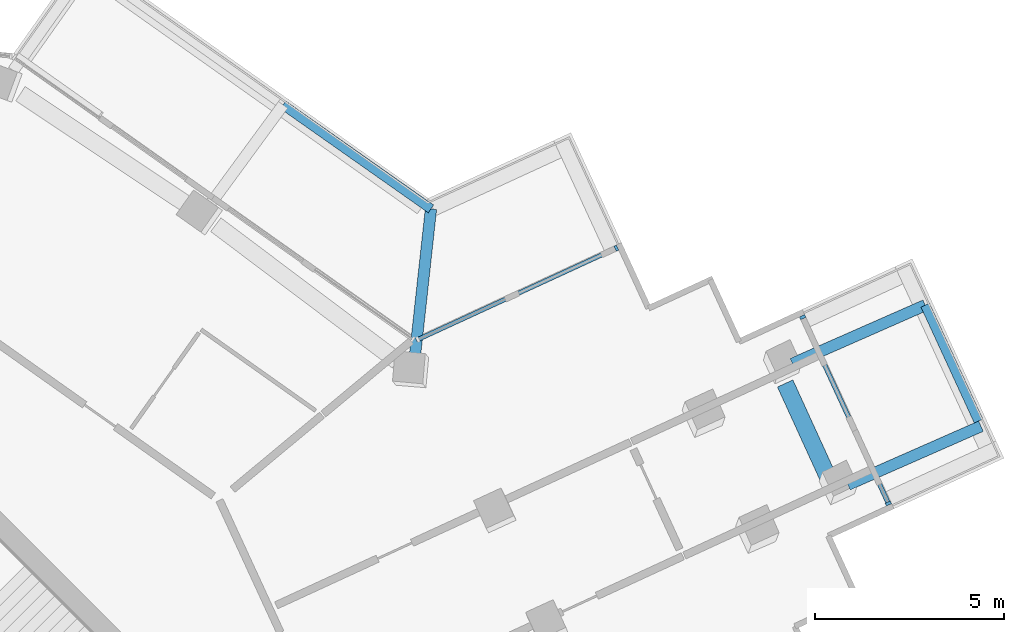
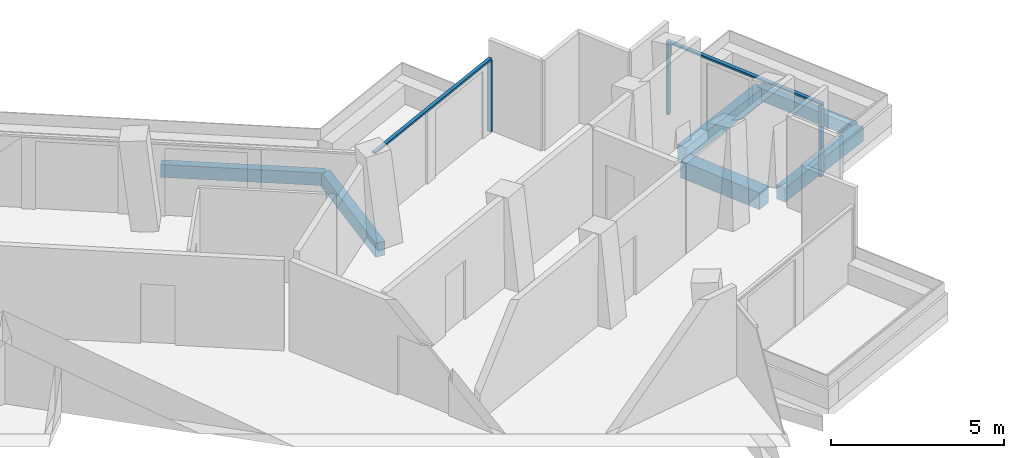
# One storey, part 10 of 23: 6 beams, 5 members, 2 elements without a shape of their own.
"""IFC4 building model written with IfcOpenShell, lengths in metres."""

from ifc_helpers import new_model, si_unit, direction, frame, origin, origin_2d, place, context, subcontext, project, spatial, rectangle, extrude, material, layer, layer_set, material_profile, profile_set, type_object, element, aggregate, save


model = new_model("IFC4")

# Units and contexts
model_context = context("Model", 3, precision=1e-05, world=origin(), true_north=direction((0.0, 1.0)))
body_context = subcontext(model_context, "Body", "Model", "MODEL_VIEW")
ifc_project = project(units=[si_unit("LENGTHUNIT", "METRE"), si_unit("AREAUNIT", "SQUARE_METRE"), si_unit("VOLUMEUNIT", "CUBIC_METRE"), si_unit("PLANEANGLEUNIT", "RADIAN"), si_unit("MASSUNIT", "GRAM", prefix="KILO")], contexts=[model_context])

# Site, building, storey
site_placement = place(None, origin())
site = spatial("IfcSite", under=ifc_project, at=site_placement, CompositionType="ELEMENT")
building_placement = place(site_placement, origin())
building = spatial("IfcBuilding", under=site, at=building_placement, Name="Verdalira Terraces Hotel", CompositionType="ELEMENT")
storey_placement = place(building_placement, frame((0.0, 0.0, 256.0)))
storey = spatial("IfcBuildingStorey", under=building, at=storey_placement, Name="L63", CompositionType="ELEMENT", Elevation=256.0)

# Beams
ifc_material_1 = material(Name="Concrete C40", Category="concrete")
ifc_material_profile_1 = material_profile(ifc_material_1, rectangle(XDim=0.300049, YDim=0.5, at=origin_2d()), Name="RC 300X500")
ifc_profile_set_1 = profile_set([ifc_material_profile_1], Name="Concrete C40")
beam_type_1 = type_object("IfcBeamType", Name="Balcony cantilever beam RC 300X500 C40", PredefinedType="BEAM", material=ifc_profile_set_1)
beam_1_placement = place(storey_placement, frame((30.748047, 12.158936, -0.560059), z_axis=(0.915229693, 0.402932511, 0.0), x_axis=(-0.402932511, 0.915229693, 0.0)))
element("IfcBeam", 1, at=beam_1_placement, inside=storey, type_object=beam_type_1, Name="Balcony cantilever beam R33-1", PredefinedType="BEAM", context=body_context, shape_type="SweptSolid", body=[
    extrude(rectangle(XDim=0.300049, YDim=0.5, at=origin_2d()), origin(), (0.0, 0.0, 1.0), 3.8396),
])
beam_2_placement = place(storey_placement, frame((29.280762, 15.358398, -0.560059), z_axis=(0.915244607, 0.402898635, 0.0), x_axis=(-0.402898635, 0.915244607, 0.0)))
element("IfcBeam", 2, at=beam_2_placement, inside=storey, type_object=beam_type_1, Name="Balcony cantilever beam R33-2", PredefinedType="BEAM", context=body_context, shape_type="SweptSolid", body=[
    extrude(rectangle(XDim=0.300049, YDim=0.5, at=origin_2d()), origin(), (0.0, 0.0, 1.0), 3.834473),
])
beam_3_placement = place(storey_placement, frame((19.300049, 15.520996, -0.560059), z_axis=(0.108660741, 0.994078892, 0.0), x_axis=(-0.994078892, 0.108660741, 0.0)))
element("IfcBeam", 3, at=beam_3_placement, inside=storey, type_object=beam_type_1, Name="Balcony cantilever beam R38-1", PredefinedType="BEAM", context=body_context, shape_type="SweptSolid", body=[
    extrude(rectangle(XDim=0.300049, YDim=0.5, at=origin_2d()), origin(), (0.0, 0.0, 1.0), 3.949951),
])
ifc_material_2 = material(Name="Concrete C40", Category="concrete")
ifc_material_profile_2 = material_profile(ifc_material_2, rectangle(XDim=0.25, YDim=0.449951, at=origin_2d()), Name="RC 250X450")
ifc_profile_set_2 = profile_set([ifc_material_profile_2], Name="Concrete C40")
beam_type_2 = type_object("IfcBeamType", Name="Balcony edge beam RC 250X450 C40", PredefinedType="BEAM", material=ifc_profile_set_2)
beam_4_placement = place(storey_placement, frame((34.199463, 13.842285, -0.534912), z_axis=(-0.418175868, 0.908366084, 0.0), x_axis=(-0.908366084, -0.418175868, 0.0)))
element("IfcBeam", 4, at=beam_4_placement, inside=storey, type_object=beam_type_2, Name="Balcony edge beam R33-1", PredefinedType="BEAM", context=body_context, shape_type="SweptSolid", body=[
    extrude(rectangle(XDim=0.25, YDim=0.449951, at=origin_2d()), origin(), (0.0, 0.0, 1.0), 3.369873),
])
beam_5_placement = place(storey_placement, frame((19.729248, 19.44751, -0.534912), z_axis=(-0.817842044, 0.575442778, 0.0), x_axis=(-0.575442778, -0.817842044, 0.0)))
element("IfcBeam", 5, at=beam_5_placement, inside=storey, type_object=beam_type_2, Name="Balcony edge beam R38-1", PredefinedType="BEAM", context=body_context, shape_type="SweptSolid", body=[
    extrude(rectangle(XDim=0.25, YDim=0.449951, at=origin_2d()), origin(), (0.0, 0.0, 1.0), 4.778076),
])

# Curtain wall, members
ifc_material_3 = material(Name="Clear glass", Category="glass")
ifc_layer_1 = layer(ifc_material_3, 0.14990234375)
ifc_layer_set_1 = layer_set([ifc_layer_1], Name="CW2 curtain wall")
curtain_wall_type_1 = type_object("IfcCurtainWallType", Name="CW2 curtain wall", PredefinedType="NOTDEFINED", material=ifc_layer_set_1)
curtain_wall_1_placement = place(storey_placement, origin())
curtain_wall_1 = element("IfcCurtainWall", 6, at=curtain_wall_1_placement, inside=storey, type_object=curtain_wall_type_1, Name="CW2 curtain wall L63 edge 38", PredefinedType="NOTDEFINED")
ifc_material_4 = material(Name="Terracotta frame", Category="masonry")
ifc_material_profile_3 = material_profile(ifc_material_4, rectangle(XDim=0.070068, YDim=0.149902, at=origin_2d()), Name="MU 70x150")
ifc_profile_set_3 = profile_set([ifc_material_profile_3], Name="Terracotta frame")
member_type_1 = type_object("IfcMemberType", Name="CW2 mullion 70x150", PredefinedType="MULLION", material=ifc_profile_set_3)
member_1_placement = place(storey_placement, frame((24.626709, 18.410645, 0.0), z_axis=(0.0, 0.0, 1.0), x_axis=(-0.908362259, -0.418184178, 0.0)))
member_1 = element("IfcMember", 7, at=member_1_placement, type_object=member_type_1, Name="CW2 mullion", PredefinedType="MULLION", context=body_context, shape_type="SweptSolid", body=[
    extrude(rectangle(XDim=0.070068, YDim=0.149902, at=origin_2d()), origin(), (0.0, 0.0, 1.0), 2.524902),
])
ifc_material_5 = material(Name="Terracotta frame", Category="masonry")
ifc_material_profile_4 = material_profile(ifc_material_5, rectangle(XDim=0.11499, YDim=0.064941, at=origin_2d()), Name="TR 65x115")
ifc_profile_set_4 = profile_set([ifc_material_profile_4], Name="Terracotta frame")
member_type_2 = type_object("IfcMemberType", Name="CW2 transom 65x115", PredefinedType="USERDEFINED", material=ifc_profile_set_4)
member_2_placement = place(storey_placement, frame((24.658691, 18.425293, 2.557617), z_axis=(-0.908363561, -0.418181349, 0.0), x_axis=(0.418181349, -0.908363561, 0.0)))
member_2 = element("IfcMember", 8, at=member_2_placement, type_object=member_type_2, Name="CW2 transom", ObjectType="TRANSOM", PredefinedType="USERDEFINED", context=body_context, shape_type="SweptSolid", body=[
    extrude(rectangle(XDim=0.11499, YDim=0.064941, at=origin_2d()), origin(), (0.0, 0.0, 1.0), 5.845703),
])
aggregate(curtain_wall_1, [member_1, member_2])

ifc_material_6 = material(Name="Clear glass", Category="glass")
ifc_layer_2 = layer(ifc_material_6, 0.14990234375)
ifc_layer_set_2 = layer_set([ifc_layer_2], Name="CW3 curtain wall")
curtain_wall_type_2 = type_object("IfcCurtainWallType", Name="CW3 curtain wall", PredefinedType="NOTDEFINED", material=ifc_layer_set_2)
curtain_wall_2_placement = place(storey_placement, origin())
curtain_wall_2 = element("IfcCurtainWall", 9, at=curtain_wall_2_placement, inside=storey, type_object=curtain_wall_type_2, Name="CW3 curtain wall L63 edge 33", PredefinedType="NOTDEFINED")
ifc_material_7 = material(Name="Terracotta frame", Category="masonry")
ifc_material_profile_5 = material_profile(ifc_material_7, rectangle(XDim=0.080078, YDim=0.149902, at=origin_2d()), Name="MU 80x150")
ifc_profile_set_5 = profile_set([ifc_material_profile_5], Name="Terracotta frame")
member_type_3 = type_object("IfcMemberType", Name="CW3 mullion 80x150", PredefinedType="MULLION", material=ifc_profile_set_5)
member_3_placement = place(storey_placement, frame((31.816895, 11.664307, 0.0), z_axis=(0.0, 0.0, 1.0), x_axis=(-0.418184178, 0.908362259, 0.0)))
member_3 = element("IfcMember", 10, at=member_3_placement, type_object=member_type_3, Name="CW3 mullion", PredefinedType="MULLION", context=body_context, shape_type="SweptSolid", body=[
    extrude(rectangle(XDim=0.080078, YDim=0.149902, at=origin_2d()), origin(), (0.0, 0.0, 1.0), 2.524902),
])
member_4_placement = place(storey_placement, frame((29.550293, 16.587646, 0.0), z_axis=(0.0, 0.0, 1.0), x_axis=(-0.418184178, 0.908362259, 0.0)))
member_4 = element("IfcMember", 11, at=member_4_placement, type_object=member_type_3, Name="CW3 mullion", PredefinedType="MULLION", context=body_context, shape_type="SweptSolid", body=[
    extrude(rectangle(XDim=0.080078, YDim=0.149902, at=origin_2d()), origin(), (0.0, 0.0, 1.0), 2.524902),
])
ifc_material_8 = material(Name="Terracotta frame", Category="masonry")
ifc_material_profile_6 = material_profile(ifc_material_8, rectangle(XDim=0.120117, YDim=0.064941, at=origin_2d()), Name="TR 65x120")
ifc_profile_set_6 = profile_set([ifc_material_profile_6], Name="Terracotta frame")
member_type_4 = type_object("IfcMemberType", Name="CW3 transom 65x120", PredefinedType="USERDEFINED", material=ifc_profile_set_6)
member_5_placement = place(storey_placement, frame((31.83374, 11.62793, 2.557617), z_axis=(-0.41819942, 0.908355242, 0.0), x_axis=(-0.908355242, -0.41819942, 0.0)))
member_5 = element("IfcMember", 12, at=member_5_placement, type_object=member_type_4, Name="CW3 transom", ObjectType="TRANSOM", PredefinedType="USERDEFINED", context=body_context, shape_type="SweptSolid", body=[
    extrude(rectangle(XDim=0.120117, YDim=0.064941, at=origin_2d()), origin(), (0.0, 0.0, 1.0), 5.5),
])
aggregate(curtain_wall_2, [member_3, member_4, member_5])

# Beam
ifc_material_9 = material(Name="Concrete C40", Category="concrete")
ifc_material_profile_7 = material_profile(ifc_material_9, rectangle(XDim=0.449951, YDim=0.600098, at=origin_2d()), Name="RC 450X600")
ifc_profile_set_7 = profile_set([ifc_material_profile_7], Name="Concrete C40")
beam_type_3 = type_object("IfcBeamType", Name="Spandrel beam RC 450X600 C40", PredefinedType="SPANDREL", material=ifc_profile_set_7)
beam_6_placement = place(storey_placement, frame((30.256592, 12.278809, -0.610107), z_axis=(-0.415490808, 0.909597377, 0.0), x_axis=(-0.909597377, -0.415490808, 0.0)))
element("IfcBeam", 13, at=beam_6_placement, inside=storey, type_object=beam_type_3, Name="Spandrel beam B17", PredefinedType="SPANDREL", context=body_context, shape_type="SweptSolid", body=[
    extrude(rectangle(XDim=0.449951, YDim=0.600098, at=origin_2d()), origin(), (0.0, 0.0, 1.0), 2.810547),
])

save(model, "model.ifc")
